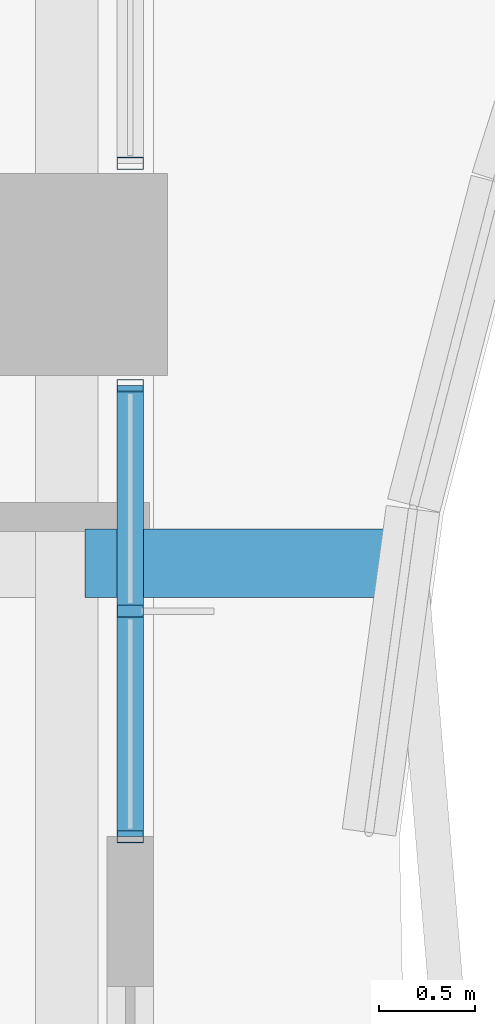
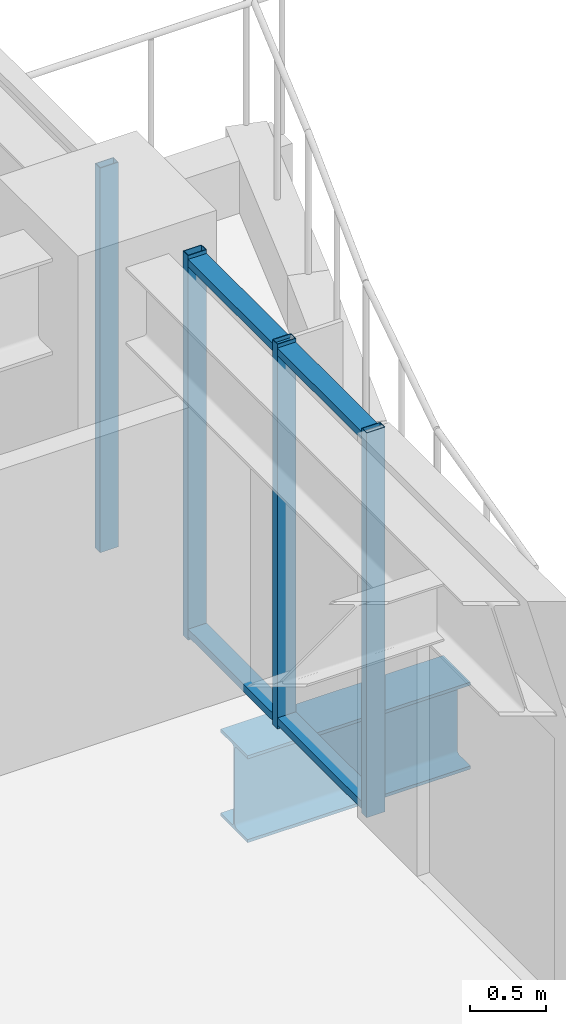
# One storey, part 15 of 38: 6 members, 1 beam, 2 elements without a shape of their own.
"""IFC4 building model written with IfcOpenShell, lengths in metres."""

from ifc_helpers import new_model, si_unit, direction, frame, origin, origin_2d, place, context, subcontext, project, spatial, hollow_rectangle, i_section, extrude, material, material_profile, profile_set, type_object, element, aggregate, save


model = new_model("IFC4")

# Units and contexts
model_context = context("Model", 3, precision=1e-05, world=origin(), true_north=direction((0.0, 1.0)))
body_context = subcontext(model_context, "Body", "Model", "MODEL_VIEW")
ifc_project = project(units=[si_unit("LENGTHUNIT", "METRE"), si_unit("AREAUNIT", "SQUARE_METRE"), si_unit("VOLUMEUNIT", "CUBIC_METRE"), si_unit("PLANEANGLEUNIT", "RADIAN"), si_unit("MASSUNIT", "GRAM", prefix="KILO")], contexts=[model_context])

# Site, building, storey
site_placement = place(None, origin())
site = spatial("IfcSite", under=ifc_project, at=site_placement, CompositionType="ELEMENT")
building_placement = place(site_placement, origin())
building = spatial("IfcBuilding", under=site, at=building_placement, Name="Kolvaren Belvedere", CompositionType="ELEMENT")
storey_placement = place(building_placement, frame((0.0, 0.0, 101.89990234375)))
storey = spatial("IfcBuildingStorey", under=building, at=storey_placement, Name="L29", CompositionType="ELEMENT", Elevation=101.89990234375)

# Beam
ifc_material_1 = material(Name="Structural steel ASTM A992 Grade 50", Category="steel")
ifc_material_profile_1 = material_profile(ifc_material_1, i_section(OverallWidth=0.35498046875, OverallDepth=0.696044921875, WebThickness=0.015380859375, FlangeThickness=0.02490234375, FilletRadius=0.02197265625, at=origin_2d()), Name="W27X146")
ifc_profile_set_1 = profile_set([ifc_material_profile_1], Name="Structural steel ASTM A992 Grade 50")
beam_type = type_object("IfcBeamType", Name="BM-CANT-BAL", PredefinedType="BEAM", material=ifc_profile_set_1)
beam_placement = place(storey_placement, frame((20.044921875, 3.10009765625, -0.56787109375), z_axis=(1.0, 0.0, 0.0), x_axis=(0.0, 1.0, 0.0)))
element("IfcBeam", 1, at=beam_placement, inside=storey, type_object=beam_type, Name="L29 Planted Balcony Cantilever BAL-E-2", PredefinedType="BEAM", context=body_context, shape_type="SweptSolid", body=[
    extrude(i_section(OverallWidth=0.35498046875, OverallDepth=0.696044921875, WebThickness=0.015380859375, FlangeThickness=0.02490234375, FilletRadius=0.02197265625, at=origin_2d()), origin(), (0.0, 0.0, 1.0), 1.6875),
])

# Curtain wall, member
ifc_material_2 = material(Name="Anodised pale-metal aluminium AA 6063-T6", Category="aluminium")
curtain_wall_type = type_object("IfcCurtainWallType", Name="CW-Z2-MID", PredefinedType="NOTDEFINED", material=ifc_material_2)
curtain_wall_1_placement = place(storey_placement, origin())
curtain_wall_1 = element("IfcCurtainWall", 2, at=curtain_wall_1_placement, inside=storey, type_object=curtain_wall_type, Name="L29 Unitised Curtain Wall FCW-L29-E1-B1", PredefinedType="NOTDEFINED")
ifc_material_3 = material(Name="Anodised pale-metal aluminium AA 6063-T6", Category="aluminium")
ifc_material_profile_2 = material_profile(ifc_material_3, hollow_rectangle(XDim=0.06494140625, YDim=0.139892578125, WallThickness=0.00390625, at=origin_2d()), Name="ALU-MUL-140X65")
ifc_profile_set_2 = profile_set([ifc_material_profile_2], Name="Anodised pale-metal aluminium AA 6063-T6")
member_type_1 = type_object("IfcMemberType", Name="CW-MUL-140", PredefinedType="MULLION", material=ifc_profile_set_2)
member_1_placement = place(storey_placement, frame((20.280029296875, 5.177490234375, 0.0), z_axis=(0.0, 0.0, 1.0), x_axis=(0.0, 1.0, 0.0)))
member_1 = element("IfcMember", 3, at=member_1_placement, type_object=member_type_1, Name="FCW-L29-E1-B1 Unitised Mullion 3", PredefinedType="MULLION", context=body_context, shape_type="SweptSolid", body=[
    extrude(hollow_rectangle(XDim=0.06494140625, YDim=0.139892578125, WallThickness=0.00390625, at=origin_2d()), origin(), (0.0, 0.0, 1.0), 3.080078125),
])
aggregate(curtain_wall_1, [member_1])

# Curtain wall, members
curtain_wall_2_placement = place(storey_placement, origin())
curtain_wall_2 = element("IfcCurtainWall", 4, at=curtain_wall_2_placement, inside=storey, type_object=curtain_wall_type, Name="L29 Unitised Curtain Wall FCW-L29-E1-B2", PredefinedType="NOTDEFINED")
member_2_placement = place(storey_placement, frame((20.280029296875, 4.0224609375, 0.0), z_axis=(0.0, 0.0, 1.0), x_axis=(0.0, 1.0, 0.0)))
member_2 = element("IfcMember", 5, at=member_2_placement, type_object=member_type_1, Name="FCW-L29-E1-B2 Unitised Mullion 1", PredefinedType="MULLION", context=body_context, shape_type="SweptSolid", body=[
    extrude(hollow_rectangle(XDim=0.06494140625, YDim=0.139892578125, WallThickness=0.00390625, at=origin_2d()), origin(), (0.0, 0.0, 1.0), 3.080078125),
])
member_3_placement = place(storey_placement, frame((20.280029296875, 2.851318359375, 0.0), z_axis=(0.0, 0.0, 1.0), x_axis=(0.0, 1.0, 0.0)))
member_3 = element("IfcMember", 6, at=member_3_placement, type_object=member_type_1, Name="FCW-L29-E1-B2 Unitised Mullion 2", PredefinedType="MULLION", context=body_context, shape_type="SweptSolid", body=[
    extrude(hollow_rectangle(XDim=0.06494140625, YDim=0.139892578125, WallThickness=0.00390625, at=origin_2d()), origin(), (0.0, 0.0, 1.0), 3.080078125),
])
member_4_placement = place(storey_placement, frame((20.280029296875, 1.679931640625, 0.0), z_axis=(0.0, 0.0, 1.0), x_axis=(0.0, 1.0, 0.0)))
member_4 = element("IfcMember", 7, at=member_4_placement, type_object=member_type_1, Name="FCW-L29-E1-B2 Unitised Mullion 3", PredefinedType="MULLION", context=body_context, shape_type="SweptSolid", body=[
    extrude(hollow_rectangle(XDim=0.06494140625, YDim=0.139892578125, WallThickness=0.00390625, at=origin_2d()), origin(), (0.0, 0.0, 1.0), 3.080078125),
])
ifc_material_4 = material(Name="Anodised pale-metal aluminium AA 6063-T6", Category="aluminium")
ifc_material_profile_3 = material_profile(ifc_material_4, hollow_rectangle(XDim=0.06005859375, YDim=0.139892578125, WallThickness=0.00390625, at=origin_2d()), Name="ALU-TRN-140X60")
ifc_profile_set_3 = profile_set([ifc_material_profile_3], Name="Anodised pale-metal aluminium AA 6063-T6")
member_type_2 = type_object("IfcMemberType", Name="CW-TRN-140", PredefinedType="USERDEFINED", material=ifc_profile_set_3)
member_5_placement = place(storey_placement, frame((20.280029296875, 4.0224609375, 0.06005859375), z_axis=(0.0, -1.0, 0.0), x_axis=(0.0, 0.0, 1.0)))
member_5 = element("IfcMember", 8, at=member_5_placement, type_object=member_type_2, Name="FCW-L29-E1-B2 Sill Transom", ObjectType="TRANSOM", PredefinedType="USERDEFINED", context=body_context, shape_type="SweptSolid", body=[
    extrude(hollow_rectangle(XDim=0.06005859375, YDim=0.139892578125, WallThickness=0.00390625, at=origin_2d()), origin(), (0.0, 0.0, 1.0), 2.342529296875),
])
member_6_placement = place(storey_placement, frame((20.280029296875, 4.0224609375, 3.02001953125), z_axis=(0.0, -1.0, 0.0), x_axis=(0.0, 0.0, 1.0)))
member_6 = element("IfcMember", 9, at=member_6_placement, type_object=member_type_2, Name="FCW-L29-E1-B2 Head Transom", ObjectType="TRANSOM", PredefinedType="USERDEFINED", context=body_context, shape_type="SweptSolid", body=[
    extrude(hollow_rectangle(XDim=0.06005859375, YDim=0.139892578125, WallThickness=0.00390625, at=origin_2d()), origin(), (0.0, 0.0, 1.0), 2.342529296875),
])
aggregate(curtain_wall_2, [member_2, member_3, member_4, member_5, member_6])

save(model, "model.ifc")
